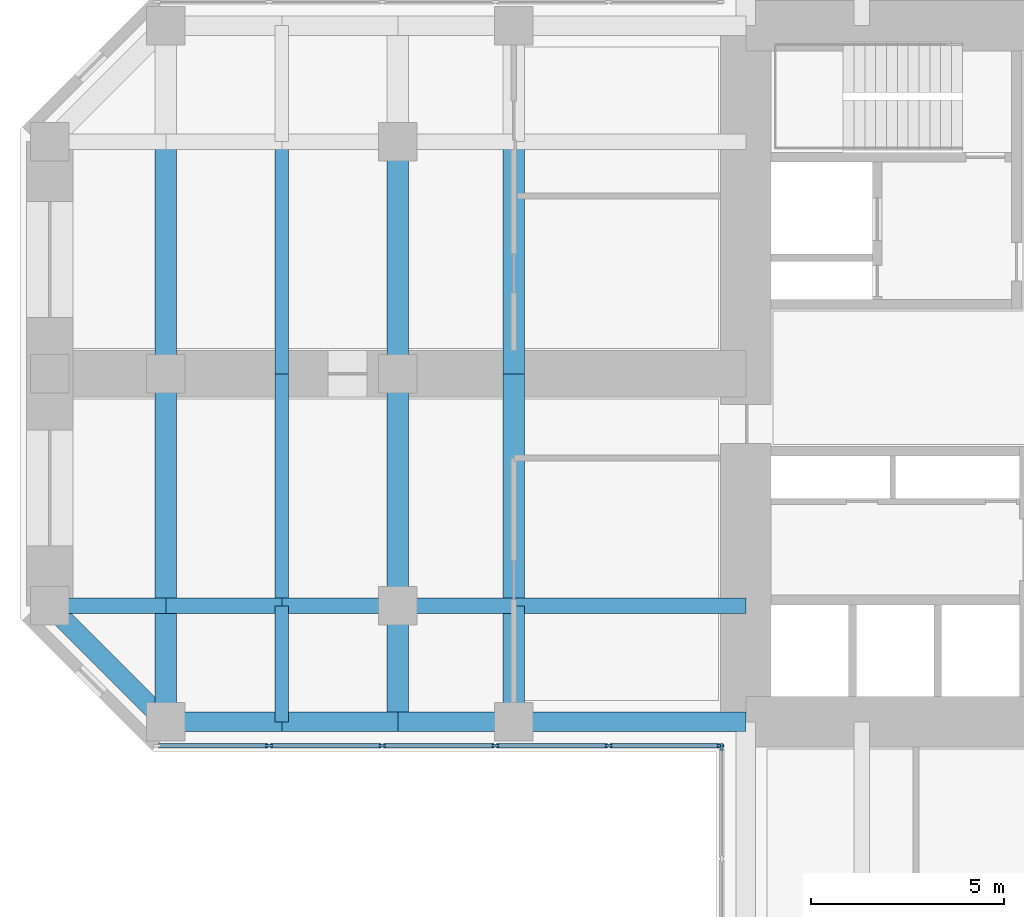
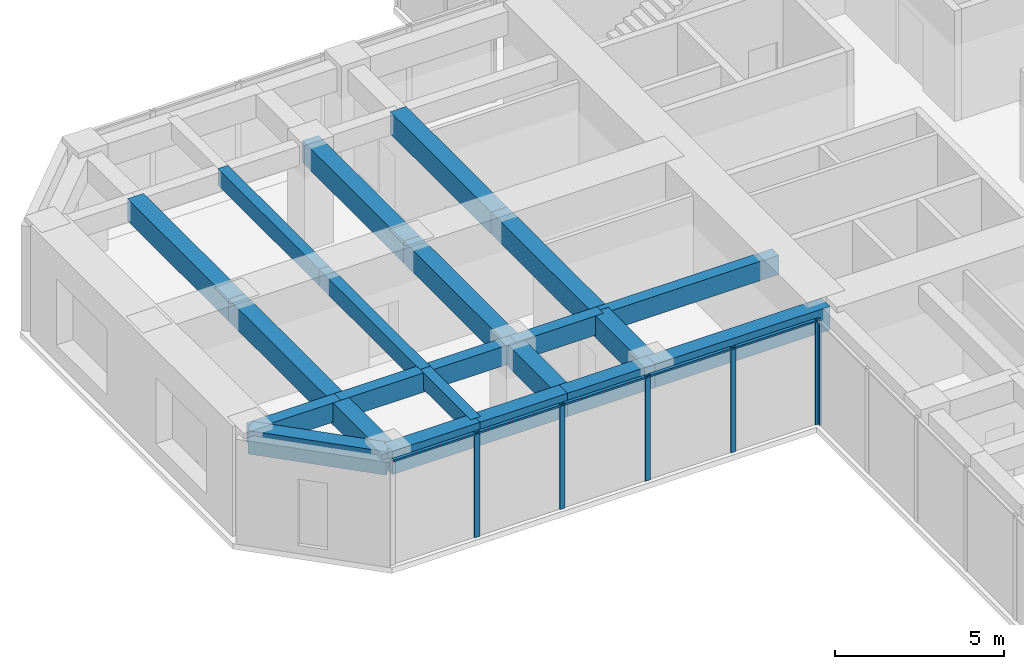
# One storey, part 3 of 12: 22 beams, 11 members, 2 elements without a shape of their own.
"""IFC4 building model written with IfcOpenShell, lengths in metres."""

from ifc_helpers import new_model, si_unit, direction, frame, origin, origin_2d, place, context, subcontext, project, spatial, rectangle, extrude, material, material_profile, profile_set, type_object, element, aggregate, save


model = new_model("IFC4")

# Units and contexts
model_context = context("Model", 3, precision=1e-05, world=origin(), true_north=direction((0.0, 1.0)))
body_context = subcontext(model_context, "Body", "Model", "MODEL_VIEW")
ifc_project = project(units=[si_unit("LENGTHUNIT", "METRE"), si_unit("AREAUNIT", "SQUARE_METRE"), si_unit("VOLUMEUNIT", "CUBIC_METRE"), si_unit("PLANEANGLEUNIT", "RADIAN"), si_unit("MASSUNIT", "GRAM", prefix="KILO")], contexts=[model_context])

# Site, building, storey
site_placement = place(None, origin())
site = spatial("IfcSite", under=ifc_project, at=site_placement, CompositionType="ELEMENT")
building_placement = place(site_placement, origin())
building = spatial("IfcBuilding", under=site, at=building_placement, Name="Torre Cruceta", CompositionType="ELEMENT")
storey_placement = place(building_placement, frame((0.0, 0.0, 120.5)))
storey = spatial("IfcBuildingStorey", under=building, at=storey_placement, Name="L29", CompositionType="ELEMENT", Elevation=120.5)

# Beams
ifc_material_1 = material(Name="Concrete G60 (fck 60 MPa)", Category="concrete")
ifc_material_profile_1 = material_profile(ifc_material_1, rectangle(XDim=0.39990234375, YDim=0.699951171875, at=origin_2d()), Name="RC 400X700")
ifc_profile_set_1 = profile_set([ifc_material_profile_1], Name="Concrete G60 (fck 60 MPa)")
beam_type_1 = type_object("IfcBeamType", Name="COLUMN LINE BEAM RC 400X700", PredefinedType="BEAM", material=ifc_profile_set_1)
beam_1_placement = place(storey_placement, frame((-9.0, -6.0, 3.449951171875), z_axis=(-1.0, 0.0, 0.0), x_axis=(0.0, -1.0, 0.0)))
element("IfcBeam", 1, at=beam_1_placement, inside=storey, type_object=beam_type_1, Name="LB5 L29 W col+ 1", PredefinedType="BEAM", context=body_context, shape_type="SweptSolid", body=[
    extrude(rectangle(XDim=0.39990234375, YDim=0.699951171875, at=origin_2d()), origin(), (0.0, 0.0, 1.0), 6.0),
])
for number, where, z_axis, x_axis, name in (
    (2, (-15.0, -6.0, 3.449951171875), (-1.0, 0.0, 0.0), (0.0, -1.0, 0.0), "LB5 L29 W col+ 2"),
    (3, (-18.0, -6.0, 3.449951171875), (-1.0, 0.0, 0.0), (0.0, -1.0, 0.0), "LB5 L29 W col+ 3"),
    (4, (-21.0, -6.0, 3.449951171875), (-1.0, 0.0, 0.0), (0.0, -1.0, 0.0), "LB5 L29 W col+ 4"),
    (5, (-24.0, -6.0, 3.449951171875), (-1.0, 0.0, 0.0), (0.0, -1.0, 0.0), "LB5 L29 W col+ 5"),
):
    element("IfcBeam", number, at=place(storey_placement, frame(where, z_axis=z_axis, x_axis=x_axis)), inside=storey, type_object=beam_type_1, Name=name, PredefinedType="BEAM", context=body_context, shape_type="SweptSolid", body=[
        extrude(rectangle(XDim=0.39990234375, YDim=0.699951171875, at=origin_2d()), origin(), (0.0, 0.0, 1.0), 3.0),
    ])
ifc_material_2 = material(Name="Concrete G60 (fck 60 MPa)", Category="concrete")
ifc_material_profile_2 = material_profile(ifc_material_2, rectangle(XDim=0.550048828125, YDim=0.800048828125, at=origin_2d()), Name="RC 550X800")
ifc_profile_set_2 = profile_set([ifc_material_profile_2], Name="Concrete G60 (fck 60 MPa)")
beam_type_2 = type_object("IfcBeamType", Name="CROSS BEAM RC 550X800", PredefinedType="BEAM", material=ifc_profile_set_2)
for number, where, z_axis, x_axis, name in (
    (6, (-15.0, 6.0, 3.39990234375), (0.0, -1.0, 0.0), (1.0, 0.0, 0.0), "GB5 L29 W cross15 2"),
    (7, (-15.0, 0.0, 3.39990234375), (0.0, -1.0, 0.0), (1.0, 0.0, 0.0), "GB5 L29 W cross15 3"),
):
    element("IfcBeam", number, at=place(storey_placement, frame(where, z_axis=z_axis, x_axis=x_axis)), inside=storey, type_object=beam_type_2, Name=name, PredefinedType="BEAM", context=body_context, shape_type="SweptSolid", body=[
        extrude(rectangle(XDim=0.550048828125, YDim=0.800048828125, at=origin_2d()), origin(), (0.0, 0.0, 1.0), 6.0),
    ])
beam_2_placement = place(storey_placement, frame((-15.0, -6.0, 3.39990234375), z_axis=(0.0, -1.0, 0.0), x_axis=(1.0, 0.0, 0.0)))
element("IfcBeam", 8, at=beam_2_placement, inside=storey, type_object=beam_type_2, Name="GB5 L29 W cross15 4", PredefinedType="BEAM", context=body_context, shape_type="SweptSolid", body=[
    extrude(rectangle(XDim=0.550048828125, YDim=0.800048828125, at=origin_2d()), origin(), (0.0, 0.0, 1.0), 3.0),
])
for number, where, z_axis, x_axis, name in (
    (9, (-18.0, 6.0, 3.39990234375), (0.0, -1.0, 0.0), (1.0, 0.0, 0.0), "GB5 L29 W cross18 2"),
    (10, (-18.0, 0.0, 3.39990234375), (0.0, -1.0, 0.0), (1.0, 0.0, 0.0), "GB5 L29 W cross18 3"),
):
    element("IfcBeam", number, at=place(storey_placement, frame(where, z_axis=z_axis, x_axis=x_axis)), inside=storey, type_object=beam_type_2, Name=name, PredefinedType="BEAM", context=body_context, shape_type="SweptSolid", body=[
        extrude(rectangle(XDim=0.550048828125, YDim=0.800048828125, at=origin_2d()), origin(), (0.0, 0.0, 1.0), 6.0),
    ])
beam_3_placement = place(storey_placement, frame((-18.0, -6.0, 3.39990234375), z_axis=(0.0, -1.0, 0.0), x_axis=(1.0, 0.0, 0.0)))
element("IfcBeam", 11, at=beam_3_placement, inside=storey, type_object=beam_type_2, Name="GB5 L29 W cross18 4", PredefinedType="BEAM", context=body_context, shape_type="SweptSolid", body=[
    extrude(rectangle(XDim=0.550048828125, YDim=0.800048828125, at=origin_2d()), origin(), (0.0, 0.0, 1.0), 3.0),
])
for number, where, z_axis, x_axis, name in (
    (12, (-24.0, 6.0, 3.39990234375), (0.0, -1.0, 0.0), (1.0, 0.0, 0.0), "GB5 L29 W cross24 2"),
    (13, (-24.0, 0.0, 3.39990234375), (0.0, -1.0, 0.0), (1.0, 0.0, 0.0), "GB5 L29 W cross24 3"),
):
    element("IfcBeam", number, at=place(storey_placement, frame(where, z_axis=z_axis, x_axis=x_axis)), inside=storey, type_object=beam_type_2, Name=name, PredefinedType="BEAM", context=body_context, shape_type="SweptSolid", body=[
        extrude(rectangle(XDim=0.550048828125, YDim=0.800048828125, at=origin_2d()), origin(), (0.0, 0.0, 1.0), 6.0),
    ])
beam_4_placement = place(storey_placement, frame((-24.0, -6.0, 3.39990234375), z_axis=(0.0, -1.0, 0.0), x_axis=(1.0, 0.0, 0.0)))
element("IfcBeam", 14, at=beam_4_placement, inside=storey, type_object=beam_type_2, Name="GB5 L29 W cross24 4", PredefinedType="BEAM", context=body_context, shape_type="SweptSolid", body=[
    extrude(rectangle(XDim=0.550048828125, YDim=0.800048828125, at=origin_2d()), origin(), (0.0, 0.0, 1.0), 3.0),
])

# Curtain wall, members
ifc_material_3 = material(Name="Aluminium unitised curtain wall", Category="aluminium")
curtain_wall_type = type_object("IfcCurtainWallType", Name="CURTAIN WALL CW-B OFFICE MID RISE", PredefinedType="USERDEFINED", material=ifc_material_3)
curtain_wall_1_placement = place(storey_placement, origin())
curtain_wall_1 = element("IfcCurtainWall", 15, at=curtain_wall_1_placement, inside=storey, type_object=curtain_wall_type, Name="CW-B L29 W side 14", ObjectType="UNITISED", PredefinedType="USERDEFINED")
ifc_material_4 = material(Name="Aluminium mullion", Category="aluminium")
ifc_material_profile_3 = material_profile(ifc_material_4, rectangle(XDim=0.06494140625, YDim=0.179931640625, at=origin_2d()), Name="AL 65X180")
ifc_profile_set_3 = profile_set([ifc_material_profile_3], Name="Aluminium mullion")
member_type_1 = type_object("IfcMemberType", Name="CW-B MULLION 65X180", PredefinedType="MULLION", material=ifc_profile_set_3)
member_1_placement = place(storey_placement, frame((-21.329345703125, -9.6201171875, 0.0), z_axis=(0.0, 0.0, 1.0), x_axis=(0.0, 1.0, 0.0)))
member_1 = element("IfcMember", 16, at=member_1_placement, type_object=member_type_1, Name="CW-B mullion 2", PredefinedType="MULLION", context=body_context, shape_type="SweptSolid", body=[
    extrude(rectangle(XDim=0.06494140625, YDim=0.179931640625, at=origin_2d()), origin(), (0.0, 0.0, 1.0), 3.800048828125),
])
member_2_placement = place(storey_placement, frame((-18.402099609375, -9.6201171875, 0.0), z_axis=(0.0, 0.0, 1.0), x_axis=(0.0, 1.0, 0.0)))
member_2 = element("IfcMember", 17, at=member_2_placement, type_object=member_type_1, Name="CW-B mullion 3", PredefinedType="MULLION", context=body_context, shape_type="SweptSolid", body=[
    extrude(rectangle(XDim=0.06494140625, YDim=0.179931640625, at=origin_2d()), origin(), (0.0, 0.0, 1.0), 3.800048828125),
])
member_3_placement = place(storey_placement, frame((-15.474609375, -9.6201171875, 0.0), z_axis=(0.0, 0.0, 1.0), x_axis=(0.0, 1.0, 0.0)))
member_3 = element("IfcMember", 18, at=member_3_placement, type_object=member_type_1, Name="CW-B mullion 4", PredefinedType="MULLION", context=body_context, shape_type="SweptSolid", body=[
    extrude(rectangle(XDim=0.06494140625, YDim=0.179931640625, at=origin_2d()), origin(), (0.0, 0.0, 1.0), 3.800048828125),
])
member_4_placement = place(storey_placement, frame((-12.54736328125, -9.6201171875, 0.0), z_axis=(0.0, 0.0, 1.0), x_axis=(0.0, 1.0, 0.0)))
member_4 = element("IfcMember", 19, at=member_4_placement, type_object=member_type_1, Name="CW-B mullion 5", PredefinedType="MULLION", context=body_context, shape_type="SweptSolid", body=[
    extrude(rectangle(XDim=0.06494140625, YDim=0.179931640625, at=origin_2d()), origin(), (0.0, 0.0, 1.0), 3.800048828125),
])
member_5_placement = place(storey_placement, frame((-9.652587890625, -9.6201171875, 0.0), z_axis=(0.0, 0.0, 1.0), x_axis=(0.0, 1.0, 0.0)))
member_5 = element("IfcMember", 20, at=member_5_placement, type_object=member_type_1, Name="CW-B mullion 6", PredefinedType="MULLION", context=body_context, shape_type="SweptSolid", body=[
    extrude(rectangle(XDim=0.06494140625, YDim=0.179931640625, at=origin_2d()), origin(), (0.0, 0.0, 1.0), 3.800048828125),
])

# Curtain wall, member
curtain_wall_2_placement = place(storey_placement, origin())
curtain_wall_2 = element("IfcCurtainWall", 21, at=curtain_wall_2_placement, inside=storey, type_object=curtain_wall_type, Name="CW-B L29 S side 15", ObjectType="UNITISED", PredefinedType="USERDEFINED")
member_6_placement = place(storey_placement, frame((-9.6201171875, -9.652587890625, 0.0), z_axis=(0.0, 0.0, 1.0), x_axis=(1.0, 0.0, 0.0)))
member_6 = element("IfcMember", 22, at=member_6_placement, type_object=member_type_1, Name="CW-B mullion 1", PredefinedType="MULLION", context=body_context, shape_type="SweptSolid", body=[
    extrude(rectangle(XDim=0.06494140625, YDim=0.179931640625, at=origin_2d()), origin(), (0.0, 0.0, 1.0), 3.800048828125),
])
aggregate(curtain_wall_2, [member_6])

# Member
ifc_material_5 = material(Name="Aluminium transom", Category="aluminium")
ifc_material_profile_4 = material_profile(ifc_material_5, rectangle(XDim=0.110107421875, YDim=0.06494140625, at=origin_2d()), Name="AL 110X65")
ifc_profile_set_4 = profile_set([ifc_material_profile_4], Name="Aluminium transom")
member_type_2 = type_object("IfcMemberType", Name="CW-B TRANSOM 65X110", PredefinedType="USERDEFINED", material=ifc_profile_set_4)
member_7_placement = place(storey_placement, frame((-24.19189453125, -9.6201171875, 3.767578125), z_axis=(1.0, 0.0, 0.0), x_axis=(0.0, 1.0, 0.0)))
member_7 = element("IfcMember", 23, at=member_7_placement, type_object=member_type_2, Name="CW-B transom 1", ObjectType="TRANSOM", PredefinedType="USERDEFINED", context=body_context, shape_type="SweptSolid", body=[
    extrude(rectangle(XDim=0.110107421875, YDim=0.06494140625, at=origin_2d()), origin(), (0.0, 0.0, 1.0), 2.829833984375),
])

member_8_placement = place(storey_placement, frame((-21.296875, -9.6201171875, 3.767578125), z_axis=(1.0, 0.0, 0.0), x_axis=(0.0, 1.0, 0.0)))
member_8 = element("IfcMember", 24, at=member_8_placement, type_object=member_type_2, Name="CW-B transom 2", ObjectType="TRANSOM", PredefinedType="USERDEFINED", context=body_context, shape_type="SweptSolid", body=[
    extrude(rectangle(XDim=0.110107421875, YDim=0.06494140625, at=origin_2d()), origin(), (0.0, 0.0, 1.0), 2.8623046875),
])

member_9_placement = place(storey_placement, frame((-18.36962890625, -9.6201171875, 3.767578125), z_axis=(1.0, 0.0, 0.0), x_axis=(0.0, 1.0, 0.0)))
member_9 = element("IfcMember", 25, at=member_9_placement, type_object=member_type_2, Name="CW-B transom 3", ObjectType="TRANSOM", PredefinedType="USERDEFINED", context=body_context, shape_type="SweptSolid", body=[
    extrude(rectangle(XDim=0.110107421875, YDim=0.06494140625, at=origin_2d()), origin(), (0.0, 0.0, 1.0), 2.8623046875),
])

member_10_placement = place(storey_placement, frame((-15.442138671875, -9.6201171875, 3.767578125), z_axis=(1.0, 0.0, 0.0), x_axis=(0.0, 1.0, 0.0)))
member_10 = element("IfcMember", 26, at=member_10_placement, type_object=member_type_2, Name="CW-B transom 4", ObjectType="TRANSOM", PredefinedType="USERDEFINED", context=body_context, shape_type="SweptSolid", body=[
    extrude(rectangle(XDim=0.110107421875, YDim=0.06494140625, at=origin_2d()), origin(), (0.0, 0.0, 1.0), 2.8623046875),
])

member_11_placement = place(storey_placement, frame((-12.514892578125, -9.6201171875, 3.767578125), z_axis=(1.0, 0.0, 0.0), x_axis=(0.0, 1.0, 0.0)))
member_11 = element("IfcMember", 27, at=member_11_placement, type_object=member_type_2, Name="CW-B transom 5", ObjectType="TRANSOM", PredefinedType="USERDEFINED", context=body_context, shape_type="SweptSolid", body=[
    extrude(rectangle(XDim=0.110107421875, YDim=0.06494140625, at=origin_2d()), origin(), (0.0, 0.0, 1.0), 2.829833984375),
])

aggregate(curtain_wall_1, [member_1, member_2, member_3, member_4, member_5, member_7, member_8, member_9, member_10, member_11])

# Beams
ifc_material_6 = material(Name="Concrete G60 (fck 60 MPa)", Category="concrete")
ifc_material_profile_5 = material_profile(ifc_material_6, rectangle(XDim=0.35009765625, YDim=0.60009765625, at=origin_2d()), Name="RC 350X600")
ifc_profile_set_5 = profile_set([ifc_material_profile_5], Name="Concrete G60 (fck 60 MPa)")
beam_type_3 = type_object("IfcBeamType", Name="SECONDARY BEAM RC 350X600", PredefinedType="JOIST", material=ifc_profile_set_5)
for number, where, z_axis, x_axis, name in (
    (28, (-21.0, 6.0, 3.5), (0.0, -1.0, 0.0), (1.0, 0.0, 0.0), "JB5 L29 W sec21 2"),
    (29, (-21.0, 0.0, 3.5), (0.0, -1.0, 0.0), (1.0, 0.0, 0.0), "JB5 L29 W sec21 3"),
):
    element("IfcBeam", number, at=place(storey_placement, frame(where, z_axis=z_axis, x_axis=x_axis)), inside=storey, type_object=beam_type_3, Name=name, PredefinedType="JOIST", context=body_context, shape_type="SweptSolid", body=[
        extrude(rectangle(XDim=0.35009765625, YDim=0.60009765625, at=origin_2d()), origin(), (0.0, 0.0, 1.0), 6.0),
    ])
beam_5_placement = place(storey_placement, frame((-21.0, -6.0, 3.5), z_axis=(0.0, -1.0, 0.0), x_axis=(1.0, 0.0, 0.0)))
element("IfcBeam", 30, at=beam_5_placement, inside=storey, type_object=beam_type_3, Name="JB5 L29 W sec21 4", PredefinedType="JOIST", context=body_context, shape_type="SweptSolid", body=[
    extrude(rectangle(XDim=0.35009765625, YDim=0.60009765625, at=origin_2d()), origin(), (0.0, 0.0, 1.0), 3.0),
])
ifc_material_7 = material(Name="Concrete G60 (fck 60 MPa)", Category="concrete")
ifc_material_profile_6 = material_profile(ifc_material_7, rectangle(XDim=0.5, YDim=0.85009765625, at=origin_2d()), Name="RC 500X850")
ifc_profile_set_6 = profile_set([ifc_material_profile_6], Name="Concrete G60 (fck 60 MPa)")
beam_type_4 = type_object("IfcBeamType", Name="SPANDREL BEAM RC 500X850", PredefinedType="SPANDREL", material=ifc_profile_set_6)
beam_6_placement = place(storey_placement, frame((-9.0, -9.0, 3.375), z_axis=(-1.0, 0.0, 0.0), x_axis=(0.0, -1.0, 0.0)))
element("IfcBeam", 31, at=beam_6_placement, inside=storey, type_object=beam_type_4, Name="SB5 L29 W side+ 1", PredefinedType="SPANDREL", context=body_context, shape_type="SweptSolid", body=[
    extrude(rectangle(XDim=0.5, YDim=0.85009765625, at=origin_2d()), origin(), (0.0, 0.0, 1.0), 6.0),
])
for number, where, z_axis, x_axis, name in (
    (32, (-15.0, -9.0, 3.375), (-1.0, 0.0, 0.0), (0.0, -1.0, 0.0), "SB5 L29 W side+ 2"),
    (33, (-18.0, -9.0, 3.375), (-1.0, 0.0, 0.0), (0.0, -1.0, 0.0), "SB5 L29 W side+ 3"),
    (34, (-21.0, -9.0, 3.375), (-1.0, 0.0, 0.0), (0.0, -1.0, 0.0), "SB5 L29 W side+ 4"),
):
    element("IfcBeam", number, at=place(storey_placement, frame(where, z_axis=z_axis, x_axis=x_axis)), inside=storey, type_object=beam_type_4, Name=name, PredefinedType="SPANDREL", context=body_context, shape_type="SweptSolid", body=[
        extrude(rectangle(XDim=0.5, YDim=0.85009765625, at=origin_2d()), origin(), (0.0, 0.0, 1.0), 3.0),
    ])
beam_7_placement = place(storey_placement, frame((-24.0, -9.0, 3.375), z_axis=(-0.707106781187, 0.707106781187, 0.0), x_axis=(-0.707106781187, -0.707106781187, 0.0)))
element("IfcBeam", 35, at=beam_7_placement, inside=storey, type_object=beam_type_4, Name="SB5 L29 W side+ 5", PredefinedType="SPANDREL", context=body_context, shape_type="SweptSolid", body=[
    extrude(rectangle(XDim=0.5, YDim=0.85009765625, at=origin_2d()), origin(), (0.0, 0.0, 1.0), 4.24267578125),
])

save(model, "model.ifc")
